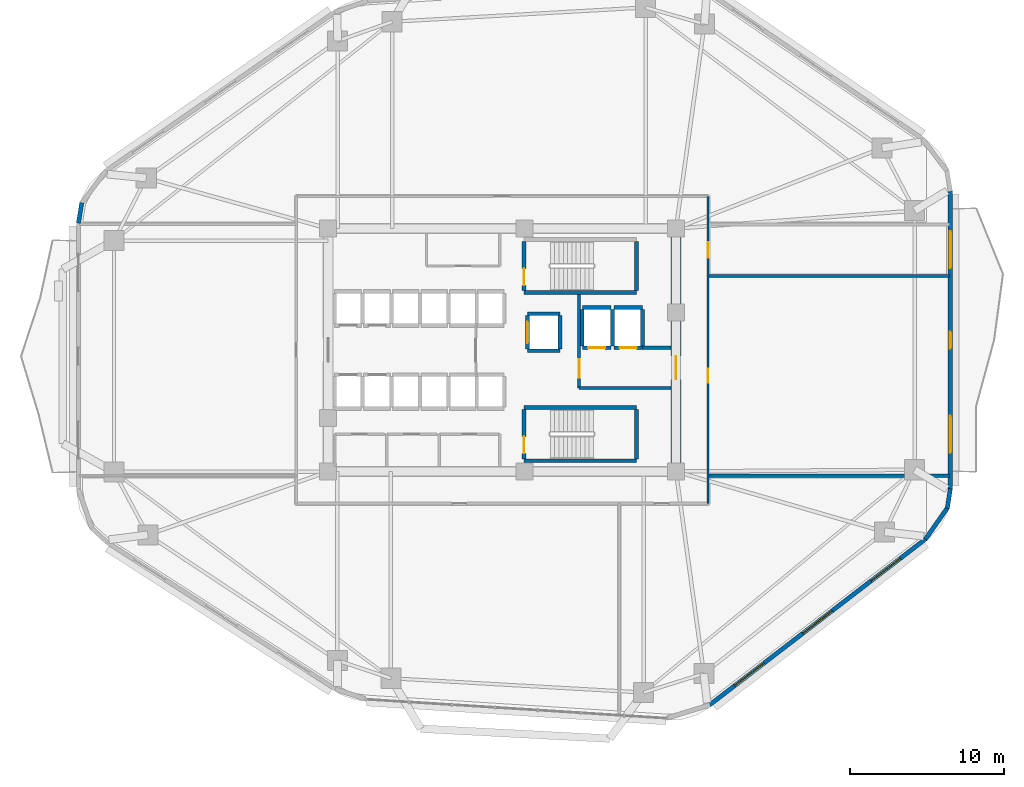
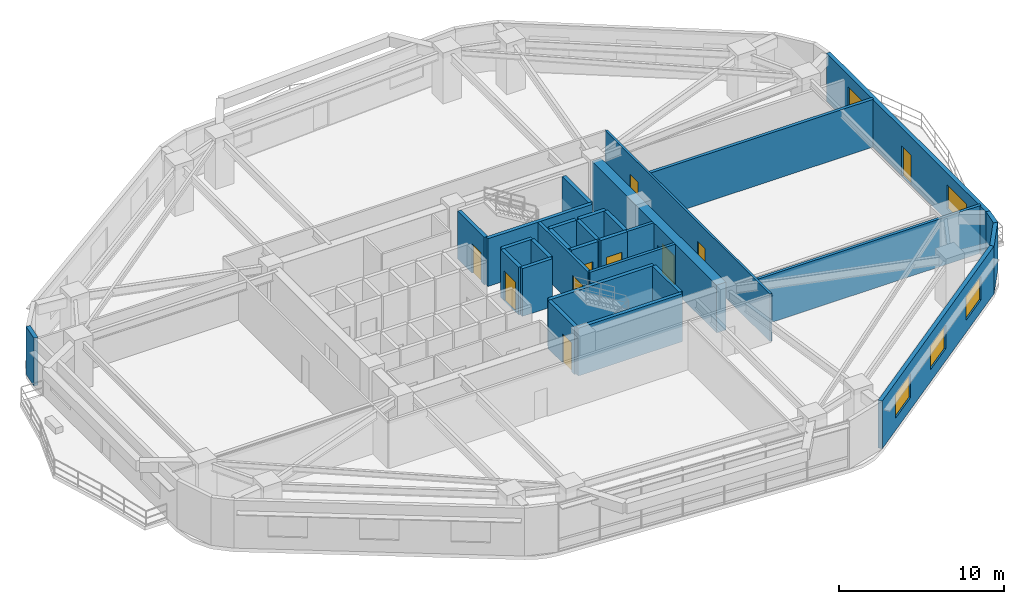
# One storey, part 9 of 13: 30 walls, 10 doors, 5 windows, 15 openings.
"""IFC4 building model written with IfcOpenShell, lengths in metres."""

import ifcopenshell
import ifcopenshell.guid

model = None  # the IFC model being written
_history = None  # IfcOwnerHistory: only IFC2X3 demands one
_inside = {}  # id of a spatial element -> (the spatial element, [elements in it])
_under = {}  # id of a project, library or spatial element -> (it, [spatial elements below it])
_declared = {}  # id of a project -> (the project, [libraries it declares])
_typed = {}  # id of a type object -> (the type object, [elements of that type])
_made_of = {}  # id of a material, layer set ... -> (it, [elements and type objects made of it])


def new_model(schema):
    """Start an empty IFC model of exactly this schema.

    Asked for "IFC4X3", IfcOpenShell would pick the latest addendum, in which some entities
    have other attributes; the version numbers below select the first issue.
    IFC2X3 requires an IfcOwnerHistory on every rooted entity: one is made here for all.
    """
    global model, _history
    if schema == "IFC4X3":
        model = ifcopenshell.file(schema_version=(4, 3, 0, 0))
    else:
        model = ifcopenshell.file(schema=schema)
    _inside.clear()
    _under.clear()
    _declared.clear()
    _typed.clear()
    _made_of.clear()
    _history = None
    if model.schema == "IFC2X3":
        org = make("IfcOrganization", Name="unknown")
        user = make(
            "IfcPersonAndOrganization",
            ThePerson=make("IfcPerson", FamilyName="unknown"),
            TheOrganization=org,
        )
        app = make(
            "IfcApplication",
            ApplicationDeveloper=org,
            Version="unknown",
            ApplicationFullName="unknown",
            ApplicationIdentifier="unknown",
        )
        _history = make(
            "IfcOwnerHistory",
            OwningUser=user,
            OwningApplication=app,
            ChangeAction="ADDED",
            CreationDate=0,
        )
    return model


def make(cls, **values):
    """One entity of the class cls with the attributes given. An attribute that is None is left unset."""
    return model.create_entity(
        cls, **{name: value for name, value in values.items() if value is not None}
    )


def rooted(cls, **values):
    """An entity with a GlobalId (a new one), such as an element, a storey or a relation."""
    return make(cls, GlobalId=ifcopenshell.guid.new(), OwnerHistory=_history, **values)


def si_unit(unit_type, name, prefix=None):
    """IfcSIUnit, for example si_unit("LENGTHUNIT", "METRE", prefix="MILLI")."""
    return make("IfcSIUnit", UnitType=unit_type, Prefix=prefix, Name=name)


def assignment(units):
    """IfcUnitAssignment: the units of a project."""
    return None if units is None else make("IfcUnitAssignment", Units=units)


def point(xyz):
    """IfcCartesianPoint."""
    return None if xyz is None else make("IfcCartesianPoint", Coordinates=xyz)


def direction(xyz):
    """IfcDirection."""
    return None if xyz is None else make("IfcDirection", DirectionRatios=xyz)


def frame(location, z_axis=None, x_axis=None):
    """IfcAxis2Placement3D, a coordinate frame: its origin and axes. An axis left out is left unset."""
    return make(
        "IfcAxis2Placement3D",
        Location=point(location),
        Axis=direction(z_axis),
        RefDirection=direction(x_axis),
    )


def frame_2d(location, x_axis=None):
    """IfcAxis2Placement2D, a coordinate frame in the plane: its origin and x axis."""
    return make(
        "IfcAxis2Placement2D", Location=point(location), RefDirection=direction(x_axis)
    )


def origin():
    """The frame at (0, 0, 0) with its axes left unset."""
    return frame((0.0, 0.0, 0.0))


def place(relative_to, where):
    """IfcLocalPlacement: puts the frame where relative to a parent placement (None: the world)."""
    return make(
        "IfcLocalPlacement", PlacementRelTo=relative_to, RelativePlacement=where
    )


def context(
    kind, dimensions, precision=None, world=None, true_north=None, identifier=None
):
    """IfcGeometricRepresentationContext, for example the 3D "Model" context."""
    return make(
        "IfcGeometricRepresentationContext",
        ContextIdentifier=identifier,
        ContextType=kind,
        CoordinateSpaceDimension=dimensions,
        Precision=precision,
        WorldCoordinateSystem=world,
        TrueNorth=true_north,
    )


def subcontext(parent, identifier, kind, view, scale=None):
    """IfcGeometricRepresentationSubContext, for example "Body" below "Model"."""
    return make(
        "IfcGeometricRepresentationSubContext",
        ContextIdentifier=identifier,
        ContextType=kind,
        ParentContext=parent,
        TargetScale=scale,
        TargetView=view,
    )


def project(units=None, contexts=None):
    """IfcProject with its units and contexts."""
    return rooted(
        "IfcProject",
        Name="project",
        RepresentationContexts=contexts,
        UnitsInContext=assignment(units),
    )


def spatial(cls, under=None, at=None, **own):
    """A site, building, storey or space (cls), placed at a placement, below another one or the project."""
    s = rooted(cls, ObjectPlacement=at, **own)
    if under is not None:
        _under.setdefault(under.id(), (under, []))[1].append(s)
    return s


def profile(cls, at=None, kind="AREA", **sizes):
    """A parametric profile (cls). Its sizes go by their IFC names, for example OverallWidth=200.0."""
    return make(cls, ProfileType=kind, Position=at, **sizes)


def rectangle(**sizes):
    """IfcRectangleProfileDef."""
    return profile("IfcRectangleProfileDef", **sizes)


def extrude(swept, where, along, depth):
    """IfcExtrudedAreaSolid: the profile swept, set in the frame where, extruded along a direction by depth."""
    return make(
        "IfcExtrudedAreaSolid",
        SweptArea=swept,
        Position=where,
        ExtrudedDirection=direction(along),
        Depth=depth,
    )


def shape(context_of_items, identifier, shape_type, items):
    """IfcShapeRepresentation: the items that make up one representation, for example the "Body"."""
    return make(
        "IfcShapeRepresentation",
        ContextOfItems=context_of_items,
        RepresentationIdentifier=identifier,
        RepresentationType=shape_type,
        Items=items,
    )


def material(Name=None, Category=None):
    """IfcMaterial."""
    return make("IfcMaterial", Name=Name, Category=Category)


def layer(
    of_material, thickness, ventilated=None, Name=None, Category=None, Priority=None
):
    """IfcMaterialLayer: one layer of a wall or slab, of a material (None: an air gap)."""
    return make(
        "IfcMaterialLayer",
        Material=of_material,
        LayerThickness=thickness,
        IsVentilated=ventilated,
        Name=Name,
        Category=Category,
        Priority=Priority,
    )


def layer_set(layers, Name=None):
    """IfcMaterialLayerSet."""
    return make("IfcMaterialLayerSet", MaterialLayers=layers, LayerSetName=Name)


def made_of(thing, what):
    """Note that an element or type object is made of a material, layer set ...; save() writes the relation."""
    if what is not None:
        _made_of.setdefault(what.id(), (what, []))[1].append(thing)
    return thing


def type_object(cls, material=None, **own):
    """A type object (cls), such as IfcWallType, which elements share."""
    return made_of(rooted(cls, **own), material)


def element(
    cls,
    number,
    at=None,
    inside=None,
    cuts=None,
    type_object=None,
    material=None,
    context=None,
    identifier="Body",
    shape_type=None,
    held_by="IfcProductDefinitionShape",
    body=None,
    shapes=None,
    **own,
):
    """One element of the class cls, such as IfcWall. Its Tag is "e" and its number.

    at: its placement. inside: the storey or other place that contains it. cuts: it is an
    opening in that element (IfcRelVoidsElement). A single representation is given by context,
    identifier, shape_type and body (its items); several are given by shapes. held_by: the class
    of the entity that holds the representations. save() writes the other relations.
    """
    e = rooted(cls, Tag="e%d" % number, ObjectPlacement=at, **own)
    if body is not None:
        shapes = [shape(context, identifier, shape_type, body)]
    if shapes is not None:
        e.Representation = make(held_by, Representations=shapes)
    if inside is not None:
        _inside.setdefault(inside.id(), (inside, []))[1].append(e)
    if cuts is not None:
        rooted(
            "IfcRelVoidsElement", RelatingBuildingElement=cuts, RelatedOpeningElement=e
        )
    if type_object is not None:
        _typed.setdefault(type_object.id(), (type_object, []))[1].append(e)
    return made_of(e, material)


def fill(opening, filler):
    """IfcRelFillsElement: the door or window that sits in an opening."""
    return rooted(
        "IfcRelFillsElement",
        RelatingOpeningElement=opening,
        RelatedBuildingElement=filler,
    )


def aggregate(whole, parts):
    """IfcRelAggregates: a whole, such as a stair, and the parts it consists of."""
    return rooted("IfcRelAggregates", RelatingObject=whole, RelatedObjects=parts)


def save(model, path):
    """Write the relations noted so far, then the file.

    IfcRelAggregates (storeys below a building ...), IfcRelContainedInSpatialStructure (elements
    in a storey), IfcRelDefinesByType, IfcRelAssociatesMaterial and IfcRelDeclares: one each for
    every whole, place, type object, material and project.
    """
    for whole, parts in _under.values():
        aggregate(whole, parts)
    for where, things in _inside.values():
        rooted(
            "IfcRelContainedInSpatialStructure",
            RelatedElements=things,
            RelatingStructure=where,
        )
    for kind, things in _typed.values():
        rooted("IfcRelDefinesByType", RelatedObjects=things, RelatingType=kind)
    for what, things in _made_of.values():
        rooted("IfcRelAssociatesMaterial", RelatedObjects=things, RelatingMaterial=what)
    for by, libraries in _declared.values():
        rooted("IfcRelDeclares", RelatingContext=by, RelatedDefinitions=libraries)
    model.write(path)


model = new_model("IFC4")

# Units and contexts
model_context = context("Model", 3, precision=1e-05, world=origin(), true_north=direction((0.0, 1.0)))
body_context = subcontext(model_context, "Body", "Model", "MODEL_VIEW")
ifc_project = project(units=[si_unit("LENGTHUNIT", "METRE"), si_unit("AREAUNIT", "SQUARE_METRE"), si_unit("VOLUMEUNIT", "CUBIC_METRE"), si_unit("PLANEANGLEUNIT", "RADIAN"), si_unit("MASSUNIT", "GRAM", prefix="KILO")], contexts=[model_context])

# Site, building, storey
site_placement = place(None, origin())
site = spatial("IfcSite", under=ifc_project, at=site_placement, CompositionType="ELEMENT")
building_placement = place(site_placement, origin())
building = spatial("IfcBuilding", under=site, at=building_placement, Name="Zulverin Broadcast Headquarters", CompositionType="ELEMENT")
storey_placement = place(building_placement, frame((0.0, 0.0, 70.60009765625)))
storey = spatial("IfcBuildingStorey", under=building, at=storey_placement, Name="L17", CompositionType="ELEMENT", Elevation=70.60009765625)

# Walls
ifc_material_1 = material(Name="Acoustic drywall steel stud", Category="steel")
ifc_layer_1 = layer(ifc_material_1, 0.199951171875, Name="Acoustic drywall steel stud", Category="steel")
ifc_layer_set_1 = layer_set([ifc_layer_1], Name="Acoustic drywall steel stud")
wall_type_1 = type_object("IfcWallType", Name="WL-ACOU-200", PredefinedType="PARTITIONING", material=ifc_layer_set_1)
wall_1_placement = place(storey_placement, frame((50.35009765625, 17.050048828125, 0.0), z_axis=(0.0, 0.0, 1.0), x_axis=(1.0, 0.0, 0.0)))
element("IfcWall", 1, at=wall_1_placement, inside=storey, type_object=wall_type_1, Name="L17 Room Partition Wall RP-06", PredefinedType="PARTITIONING", context=body_context, shape_type="SweptSolid", body=[
    extrude(rectangle(XDim=15.64501953125, YDim=0.199951171875, at=frame_2d((7.822509765625, 0.0))), origin(), (0.0, 0.0, 1.0), 3.52490234375),
])
ifc_material_2 = material(Name="Double-stud acoustic drywall", Category="gypsum")
ifc_layer_2 = layer(ifc_material_2, 0.219970703125, Name="Double-stud acoustic drywall", Category="gypsum")
ifc_layer_set_2 = layer_set([ifc_layer_2], Name="Double-stud acoustic drywall")
wall_type_2 = type_object("IfcWallType", Name="WL-ACOU-220", PredefinedType="PARTITIONING", material=ifc_layer_set_2)
wall_2_placement = place(storey_placement, frame((50.35009765625, 30.0, 0.0), z_axis=(0.0, 0.0, 1.0), x_axis=(1.0, 0.0, 0.0)))
element("IfcWall", 2, at=wall_2_placement, inside=storey, type_object=wall_type_2, Name="L17 Room Partition Wall RP-07", PredefinedType="PARTITIONING", context=body_context, shape_type="SweptSolid", body=[
    extrude(rectangle(XDim=15.64501953125, YDim=0.219970703125, at=frame_2d((7.822509765625, 0.0))), origin(), (0.0, 0.0, 1.0), 3.52490234375),
])

# Wall, opening, door
ifc_material_3 = material(Name="Concrete C60/75", Category="concrete")
ifc_layer_3 = layer(ifc_material_3, 0.64990234375, Name="Concrete C60/75", Category="concrete")
ifc_layer_set_3 = layer_set([ifc_layer_3], Name="Concrete C60/75")
wall_type_3 = type_object("IfcWallType", Name="WL-CORE-650", PredefinedType="SHEAR", material=ifc_layer_set_3)
wall_3_placement = place(storey_placement, frame((48.27490234375, 17.64990234375, 0.0), z_axis=(0.0, 0.0, 1.0), x_axis=(0.0, 1.0, 0.0)))
wall_3 = element("IfcWall", 3, at=wall_3_placement, inside=storey, type_object=wall_type_3, Name="L17 Core East Shear Wall", PredefinedType="SHEAR", context=body_context, shape_type="SweptSolid", body=[
    extrude(rectangle(XDim=15.10009765625, YDim=0.64990234375, at=frame_2d((7.550048828125, 0.0))), origin(), (0.0, 0.0, 1.0), 3.52490234375),
])
opening_1_placement = place(wall_3_placement, frame((5.64990234375, 0.0, 0.0)))
opening_1 = element("IfcOpeningElement", 4, at=opening_1_placement, cuts=wall_3, Name="Opening D-L17-CE1", PredefinedType="OPENING", context=body_context, shape_type="SweptSolid", body=[
    extrude(rectangle(XDim=1.5, YDim=2.14990234375, at=frame_2d((0.75, 1.074951171875))), frame((0.0, 0.3349609375, 0.0), z_axis=(0.0, -1.0, 0.0), x_axis=(1.0, 0.0, 0.0)), (0.0, 0.0, 1.0), 0.669921875),
])
ifc_material_4 = material(Name="Fire-rated glazed steel frame", Category="steel")
door_type_1 = type_object("IfcDoorType", Name="DR-COR-1500", OperationType="DOUBLE_DOOR_SINGLE_SWING", PredefinedType="DOOR", material=ifc_material_4)
door_1_placement = place(opening_1_placement, origin())
door_1 = element("IfcDoor", 5, at=door_1_placement, inside=storey, type_object=door_type_1, Name="L17 Firefighting Lobby East Corridor Door", OperationType="DOUBLE_DOOR_SINGLE_SWING", OverallHeight=2.14990234375, OverallWidth=1.5, PredefinedType="DOOR", context=body_context, shape_type="SweptSolid", body=[
    extrude(rectangle(XDim=1.5, YDim=2.14990234375, at=frame_2d((0.75, 1.074951171875))), frame((0.0, 0.02490234375, 0.0), z_axis=(0.0, -1.0, 0.0), x_axis=(1.0, 0.0, 0.0)), (0.0, 0.0, 1.0), 0.050048828125),
])
fill(opening_1, door_1)

# Wall, openings, windows
ifc_material_5 = material(Name="Insulated pale-metal clad concrete spandrel C40/50", Category="concrete")
ifc_layer_4 = layer(ifc_material_5, 0.280029296875, Name="Insulated pale-metal clad concrete spandrel C40/50", Category="concrete")
ifc_layer_set_4 = layer_set([ifc_layer_4], Name="Insulated pale-metal clad concrete spandrel C40/50")
wall_type_4 = type_object("IfcWallType", Name="WL-EXT-280", PredefinedType="STANDARD", material=ifc_layer_set_4)
wall_4_placement = place(storey_placement, frame((50.4287109375, 2.171630859375, 0.0), z_axis=(0.0, 0.0, 1.0), x_axis=(0.792937466367, 0.609303023488, 0.0)))
wall_4 = element("IfcWall", 6, at=wall_4_placement, inside=storey, type_object=wall_type_4, Name="L17 Pale-Metal Clad Spandrel Wall 2", PredefinedType="STANDARD", context=body_context, shape_type="SweptSolid", body=[
    extrude(rectangle(XDim=17.712890625, YDim=0.280029296875, at=frame_2d((8.8564453125, 0.0))), origin(), (0.0, 0.0, 1.0), 3.52490234375),
])
opening_2_placement = place(wall_4_placement, frame((2.08544921875, 0.0, 0.89990234375)))
opening_2 = element("IfcOpeningElement", 7, at=opening_2_placement, cuts=wall_4, Name="Opening W-L17-E21", PredefinedType="OPENING", context=body_context, shape_type="SweptSolid", body=[
    extrude(rectangle(XDim=2.39990234375, YDim=1.75, at=frame_2d((1.199951171875, 0.875))), frame((0.0, 0.14990234375, 0.0), z_axis=(0.0, -1.0, 0.0), x_axis=(1.0, 0.0, 0.0)), (0.0, 0.0, 1.0), 0.300048828125),
])
opening_3_placement = place(wall_4_placement, frame((7.656494140625, 0.0, 0.89990234375)))
opening_3 = element("IfcOpeningElement", 8, at=opening_3_placement, cuts=wall_4, Name="Opening W-L17-E22", PredefinedType="OPENING", context=body_context, shape_type="SweptSolid", body=[
    extrude(rectangle(XDim=2.39990234375, YDim=1.75, at=frame_2d((1.199951171875, 0.875))), frame((0.0, 0.14990234375, 0.0), z_axis=(0.0, -1.0, 0.0), x_axis=(1.0, 0.0, 0.0)), (0.0, 0.0, 1.0), 0.300048828125),
])
opening_4_placement = place(wall_4_placement, frame((13.227294921875, 0.0, 0.89990234375)))
opening_4 = element("IfcOpeningElement", 9, at=opening_4_placement, cuts=wall_4, Name="Opening W-L17-E23", PredefinedType="OPENING", context=body_context, shape_type="SweptSolid", body=[
    extrude(rectangle(XDim=2.39990234375, YDim=1.75, at=frame_2d((1.199951171875, 0.875))), frame((0.0, 0.14990234375, 0.0), z_axis=(0.0, -1.0, 0.0), x_axis=(1.0, 0.0, 0.0)), (0.0, 0.0, 1.0), 0.300048828125),
])
ifc_material_6 = material(Name="Pale anodized aluminium frame with solar-control low-E double glazing", Category="aluminium")
window_type = type_object("IfcWindowType", Name="WIN-RIB-2400", PartitioningType="SINGLE_PANEL", PredefinedType="WINDOW", material=ifc_material_6)
window_1_placement = place(opening_2_placement, origin())
window_1 = element("IfcWindow", 10, at=window_1_placement, inside=storey, type_object=window_type, Name="L17 Ribbon Glazing Window 2 1", OverallHeight=1.75, OverallWidth=2.39990234375, PartitioningType="SINGLE_PANEL", PredefinedType="WINDOW", context=body_context, shape_type="SweptSolid", body=[
    extrude(rectangle(XDim=2.39990234375, YDim=1.75, at=frame_2d((1.199951171875, 0.875))), frame((0.0, 0.030029296875, 0.0), z_axis=(0.0, -1.0, 0.0), x_axis=(1.0, 0.0, 0.0)), (0.0, 0.0, 1.0), 0.06005859375),
])
fill(opening_2, window_1)
window_2_placement = place(opening_3_placement, origin())
window_2 = element("IfcWindow", 11, at=window_2_placement, inside=storey, type_object=window_type, Name="L17 Ribbon Glazing Window 2 2", OverallHeight=1.75, OverallWidth=2.39990234375, PartitioningType="SINGLE_PANEL", PredefinedType="WINDOW", context=body_context, shape_type="SweptSolid", body=[
    extrude(rectangle(XDim=2.39990234375, YDim=1.75, at=frame_2d((1.199951171875, 0.875))), frame((0.0, 0.030029296875, 0.0), z_axis=(0.0, -1.0, 0.0), x_axis=(1.0, 0.0, 0.0)), (0.0, 0.0, 1.0), 0.06005859375),
])
fill(opening_3, window_2)
window_3_placement = place(opening_4_placement, origin())
window_3 = element("IfcWindow", 12, at=window_3_placement, inside=storey, type_object=window_type, Name="L17 Ribbon Glazing Window 2 3", OverallHeight=1.75, OverallWidth=2.39990234375, PartitioningType="SINGLE_PANEL", PredefinedType="WINDOW", context=body_context, shape_type="SweptSolid", body=[
    extrude(rectangle(XDim=2.39990234375, YDim=1.75, at=frame_2d((1.199951171875, 0.875))), frame((0.0, 0.030029296875, 0.0), z_axis=(0.0, -1.0, 0.0), x_axis=(1.0, 0.0, 0.0)), (0.0, 0.0, 1.0), 0.06005859375),
])
fill(opening_4, window_3)

# Wall, openings, door, windows
wall_5_placement = place(storey_placement, frame((66.06005859375, 16.183349609375, 0.0), z_axis=(0.0, 0.0, 1.0), x_axis=(0.0, 1.0, 0.0)))
wall_5 = element("IfcWall", 13, at=wall_5_placement, inside=storey, type_object=wall_type_4, Name="L17 Pale-Metal Clad Spandrel Wall 3", PredefinedType="STANDARD", context=body_context, shape_type="SweptSolid", body=[
    extrude(rectangle(XDim=19.3310546875, YDim=0.280029296875, at=frame_2d((9.66552734375, 0.0))), origin(), (0.0, 0.0, 1.0), 3.52490234375),
])
opening_5_placement = place(wall_5_placement, frame((9.115478515625, 0.0, 0.0)))
opening_5 = element("IfcOpeningElement", 14, at=opening_5_placement, cuts=wall_5, Name="Opening D-L17-TR3", PredefinedType="OPENING", context=body_context, shape_type="SweptSolid", body=[
    extrude(rectangle(XDim=1.10009765625, YDim=2.199951171875, at=frame_2d((0.550048828125, 1.10009765625))), frame((0.0, 0.14990234375, 0.0), z_axis=(0.0, -1.0, 0.0), x_axis=(1.0, 0.0, 0.0)), (0.0, 0.0, 1.0), 0.300048828125),
])
opening_6_placement = place(wall_5_placement, frame((2.355224609375, 0.0, 0.89990234375)))
opening_6 = element("IfcOpeningElement", 15, at=opening_6_placement, cuts=wall_5, Name="Opening W-L17-E31", PredefinedType="OPENING", context=body_context, shape_type="SweptSolid", body=[
    extrude(rectangle(XDim=2.39990234375, YDim=1.75, at=frame_2d((1.199951171875, 0.875))), frame((0.0, 0.14990234375, 0.0), z_axis=(0.0, -1.0, 0.0), x_axis=(1.0, 0.0, 0.0)), (0.0, 0.0, 1.0), 0.300048828125),
])
opening_7_placement = place(wall_5_placement, frame((14.325927734375, 0.0, 0.89990234375)))
opening_7 = element("IfcOpeningElement", 16, at=opening_7_placement, cuts=wall_5, Name="Opening W-L17-E32", PredefinedType="OPENING", context=body_context, shape_type="SweptSolid", body=[
    extrude(rectangle(XDim=2.39990234375, YDim=1.75, at=frame_2d((1.199951171875, 0.875))), frame((0.0, 0.14990234375, 0.0), z_axis=(0.0, -1.0, 0.0), x_axis=(1.0, 0.0, 0.0)), (0.0, 0.0, 1.0), 0.300048828125),
])
ifc_material_7 = material(Name="Thermally broken aluminium glazed", Category="aluminium")
door_type_2 = type_object("IfcDoorType", Name="DR-TERR-1100", OperationType="SINGLE_SWING_RIGHT", PredefinedType="DOOR", material=ifc_material_7)
door_2_placement = place(opening_5_placement, origin())
door_2 = element("IfcDoor", 17, at=door_2_placement, inside=storey, type_object=door_type_2, Name="L17 Planted Terrace Glazed Access Door 3", OperationType="SINGLE_SWING_RIGHT", OverallHeight=2.199951171875, OverallWidth=1.10009765625, PredefinedType="DOOR", context=body_context, shape_type="SweptSolid", body=[
    extrude(rectangle(XDim=1.10009765625, YDim=2.199951171875, at=frame_2d((0.550048828125, 1.10009765625))), frame((0.0, 0.02490234375, 0.0), z_axis=(0.0, -1.0, 0.0), x_axis=(1.0, 0.0, 0.0)), (0.0, 0.0, 1.0), 0.050048828125),
])
fill(opening_5, door_2)
window_4_placement = place(opening_6_placement, origin())
window_4 = element("IfcWindow", 18, at=window_4_placement, inside=storey, type_object=window_type, Name="L17 Ribbon Glazing Window 3 1", OverallHeight=1.75, OverallWidth=2.39990234375, PartitioningType="SINGLE_PANEL", PredefinedType="WINDOW", context=body_context, shape_type="SweptSolid", body=[
    extrude(rectangle(XDim=2.39990234375, YDim=1.75, at=frame_2d((1.199951171875, 0.875))), frame((0.0, 0.030029296875, 0.0), z_axis=(0.0, -1.0, 0.0), x_axis=(1.0, 0.0, 0.0)), (0.0, 0.0, 1.0), 0.06005859375),
])
fill(opening_6, window_4)
window_5_placement = place(opening_7_placement, origin())
window_5 = element("IfcWindow", 19, at=window_5_placement, inside=storey, type_object=window_type, Name="L17 Ribbon Glazing Window 3 2", OverallHeight=1.75, OverallWidth=2.39990234375, PartitioningType="SINGLE_PANEL", PredefinedType="WINDOW", context=body_context, shape_type="SweptSolid", body=[
    extrude(rectangle(XDim=2.39990234375, YDim=1.75, at=frame_2d((1.199951171875, 0.875))), frame((0.0, 0.030029296875, 0.0), z_axis=(0.0, -1.0, 0.0), x_axis=(1.0, 0.0, 0.0)), (0.0, 0.0, 1.0), 0.06005859375),
])
fill(opening_7, window_5)

# Walls
wall_6_placement = place(storey_placement, frame((64.4443359375, 12.933349609375, 0.0), z_axis=(0.0, 0.0, 1.0), x_axis=(0.573176686443, 0.819431806875, 0.0)))
element("IfcWall", 20, at=wall_6_placement, inside=storey, type_object=wall_type_4, Name="L17 Wind-Shaped Corner Spandrel Wall 2-1", PredefinedType="STANDARD", context=body_context, shape_type="SweptSolid", body=[
    extrude(rectangle(XDim=2.524169921875, YDim=0.280029296875, at=frame_2d((1.26220703125, 0.0))), origin(), (0.0, 0.0, 1.0), 3.52490234375),
])
wall_7_placement = place(storey_placement, frame((65.867431640625, 14.942626953125, 0.0), z_axis=(0.0, 0.0, 1.0), x_axis=(0.152014078361, 0.988378328364, 0.0)))
element("IfcWall", 21, at=wall_7_placement, inside=storey, type_object=wall_type_4, Name="L17 Wind-Shaped Corner Spandrel Wall 2-2", PredefinedType="STANDARD", context=body_context, shape_type="SweptSolid", body=[
    extrude(rectangle(XDim=1.27685546875, YDim=0.280029296875, at=frame_2d((0.638427734375, 0.0))), origin(), (0.0, 0.0, 1.0), 3.52490234375),
])
wall_8_placement = place(storey_placement, frame((9.753173828125, 34.748779296875, 0.0), z_axis=(0.0, 0.0, 1.0), x_axis=(-0.160037671962, -0.987110907423, 0.0)))
element("IfcWall", 22, at=wall_8_placement, inside=storey, type_object=wall_type_4, Name="L17 Wind-Shaped Corner Spandrel Wall 6-2", PredefinedType="STANDARD", context=body_context, shape_type="SweptSolid", body=[
    extrude(rectangle(XDim=1.343994140625, YDim=0.280029296875, at=frame_2d((0.671875, 0.0))), origin(), (0.0, 0.0, 1.0), 3.52490234375),
])

# Wall, opening, door
ifc_material_8 = material(Name="Concrete C40/50", Category="concrete")
ifc_layer_5 = layer(ifc_material_8, 0.199951171875, Name="Concrete C40/50", Category="concrete")
ifc_layer_set_5 = layer_set([ifc_layer_5], Name="Concrete C40/50")
wall_type_5 = type_object("IfcWallType", Name="WL-FFL-200", PredefinedType="SOLIDWALL", material=ifc_layer_set_5)
wall_9_placement = place(storey_placement, frame((42.0, 22.75, 0.0), z_axis=(0.0, 0.0, 1.0), x_axis=(0.0, 1.0, 0.0)))
wall_9 = element("IfcWall", 23, at=wall_9_placement, inside=storey, type_object=wall_type_5, Name="L17 Firefighting Lift Lobby West Wall", PredefinedType="SOLIDWALL", context=body_context, shape_type="SweptSolid", body=[
    extrude(rectangle(XDim=6.050048828125, YDim=0.199951171875, at=frame_2d((3.02490234375, 0.0))), origin(), (0.0, 0.0, 1.0), 3.52490234375),
])
opening_8_placement = place(wall_9_placement, frame((0.64990234375, 0.0, 0.0)))
opening_8 = element("IfcOpeningElement", 24, at=opening_8_placement, cuts=wall_9, Name="Opening D-L17-FFLW", PredefinedType="OPENING", context=body_context, shape_type="SweptSolid", body=[
    extrude(rectangle(XDim=1.199951171875, YDim=2.14990234375, at=frame_2d((0.60009765625, 1.074951171875))), frame((0.0, 0.10986328125, 0.0), z_axis=(0.0, -1.0, 0.0), x_axis=(1.0, 0.0, 0.0)), (0.0, 0.0, 1.0), 0.219970703125),
])
ifc_material_9 = material(Name="Fire-rated steel leaf and frame", Category="steel")
door_type_3 = type_object("IfcDoorType", Name="DR-FFL-1200", OperationType="SINGLE_SWING_RIGHT", PredefinedType="DOOR", material=ifc_material_9)
door_3_placement = place(opening_8_placement, origin())
door_3 = element("IfcDoor", 25, at=door_3_placement, inside=storey, type_object=door_type_3, Name="L17 Firefighting Lift Lobby Door", OperationType="SINGLE_SWING_RIGHT", OverallHeight=2.14990234375, OverallWidth=1.199951171875, PredefinedType="DOOR", context=body_context, shape_type="SweptSolid", body=[
    extrude(rectangle(XDim=1.199951171875, YDim=2.14990234375, at=frame_2d((0.60009765625, 1.074951171875))), frame((0.0, 0.02490234375, 0.0), z_axis=(0.0, -1.0, 0.0), x_axis=(1.0, 0.0, 0.0)), (0.0, 0.0, 1.0), 0.050048828125),
])
fill(opening_8, door_3)

# Walls
wall_10_placement = place(storey_placement, frame((42.0, 22.75, 0.0), z_axis=(0.0, 0.0, 1.0), x_axis=(1.0, 0.0, 0.0)))
element("IfcWall", 26, at=wall_10_placement, inside=storey, type_object=wall_type_5, Name="L17 Firefighting Lift Lobby South Wall", PredefinedType="SOLIDWALL", context=body_context, shape_type="SweptSolid", body=[
    extrude(rectangle(XDim=5.949951171875, YDim=0.199951171875, at=frame_2d((2.97509765625, 0.0))), origin(), (0.0, 0.0, 1.0), 3.52490234375),
])
wall_11_placement = place(storey_placement, frame((46.10009765625, 25.35009765625, 0.0), z_axis=(0.0, 0.0, 1.0), x_axis=(1.0, 0.0, 0.0)))
element("IfcWall", 27, at=wall_11_placement, inside=storey, type_object=wall_type_5, Name="L17 Firefighting Lift Lobby North Wall", PredefinedType="SOLIDWALL", context=body_context, shape_type="SweptSolid", body=[
    extrude(rectangle(XDim=1.849853515625, YDim=0.199951171875, at=frame_2d((0.9248046875, 0.0))), origin(), (0.0, 0.0, 1.0), 3.52490234375),
])

# Wall, openings, doors
ifc_material_10 = material(Name="Fire-rated gypsum stud partition", Category="gypsum")
ifc_layer_6 = layer(ifc_material_10, 0.14990234375, Name="Fire-rated gypsum stud partition", Category="gypsum")
ifc_layer_set_6 = layer_set([ifc_layer_6], Name="Fire-rated gypsum stud partition")
wall_type_6 = type_object("IfcWallType", Name="WL-PART-150", PredefinedType="PARTITIONING", material=ifc_layer_set_6)
wall_12_placement = place(storey_placement, frame((50.35009765625, 15.25, 0.0), z_axis=(0.0, 0.0, 1.0), x_axis=(0.0, 1.0, 0.0)))
wall_12 = element("IfcWall", 28, at=wall_12_placement, inside=storey, type_object=wall_type_6, Name="L17 Gallery Partition Wall CG-01", PredefinedType="PARTITIONING", context=body_context, shape_type="SweptSolid", body=[
    extrude(rectangle(XDim=19.89990234375, YDim=0.14990234375, at=frame_2d((9.949951171875, 0.0))), origin(), (0.0, 0.0, 1.0), 3.52490234375),
])
opening_9_placement = place(wall_12_placement, frame((7.824951171875, 0.0, 0.0)))
opening_9 = element("IfcOpeningElement", 29, at=opening_9_placement, cuts=wall_12, Name="Opening D-L17-05", PredefinedType="OPENING", context=body_context, shape_type="SweptSolid", body=[
    extrude(rectangle(XDim=0.89990234375, YDim=2.10009765625, at=frame_2d((0.449951171875, 1.050048828125))), frame((0.0, 0.0849609375, 0.0), z_axis=(0.0, -1.0, 0.0), x_axis=(1.0, 0.0, 0.0)), (0.0, 0.0, 1.0), 0.169921875),
])
opening_10_placement = place(wall_12_placement, frame((15.925048828125, 0.0, 0.0)))
opening_10 = element("IfcOpeningElement", 30, at=opening_10_placement, cuts=wall_12, Name="Opening D-L17-06", PredefinedType="OPENING", context=body_context, shape_type="SweptSolid", body=[
    extrude(rectangle(XDim=1.0, YDim=2.1201171875, at=frame_2d((0.5, 1.06005859375))), frame((0.0, 0.0849609375, 0.0), z_axis=(0.0, -1.0, 0.0), x_axis=(1.0, 0.0, 0.0)), (0.0, 0.0, 1.0), 0.169921875),
])
ifc_material_11 = material(Name="Hardwood veneer acoustic leaf", Category="wood")
door_type_4 = type_object("IfcDoorType", Name="DR-OFF-1000", OperationType="SINGLE_SWING_LEFT", PredefinedType="DOOR", material=ifc_material_11)
door_4_placement = place(opening_10_placement, origin())
door_4 = element("IfcDoor", 31, at=door_4_placement, inside=storey, type_object=door_type_4, Name="L17 Broadcast Production Office Door", OperationType="SINGLE_SWING_LEFT", OverallHeight=2.1201171875, OverallWidth=1.0, PredefinedType="DOOR", context=body_context, shape_type="SweptSolid", body=[
    extrude(rectangle(XDim=1.0, YDim=2.1201171875, at=frame_2d((0.5, 1.06005859375))), frame((0.0, 0.02490234375, 0.0), z_axis=(0.0, -1.0, 0.0), x_axis=(1.0, 0.0, 0.0)), (0.0, 0.0, 1.0), 0.050048828125),
])
fill(opening_10, door_4)
ifc_material_12 = material(Name="Fire-rated hardwood veneer timber leaf", Category="wood")
door_type_5 = type_object("IfcDoorType", Name="DR-ROOM-900", OperationType="SINGLE_SWING_RIGHT", PredefinedType="DOOR", material=ifc_material_12)
door_5_placement = place(opening_9_placement, origin())
door_5 = element("IfcDoor", 32, at=door_5_placement, inside=storey, type_object=door_type_5, Name="L17 Floor Reception Foyer Door", OperationType="SINGLE_SWING_RIGHT", OverallHeight=2.10009765625, OverallWidth=0.89990234375, PredefinedType="DOOR", context=body_context, shape_type="SweptSolid", body=[
    extrude(rectangle(XDim=0.89990234375, YDim=2.10009765625, at=frame_2d((0.449951171875, 1.050048828125))), frame((0.0, 0.02490234375, 0.0), z_axis=(0.0, -1.0, 0.0), x_axis=(1.0, 0.0, 0.0)), (0.0, 0.0, 1.0), 0.050048828125),
])
fill(opening_9, door_5)

# Wall
ifc_material_13 = material(Name="Concrete C50/60", Category="concrete")
ifc_layer_7 = layer(ifc_material_13, 0.25, Name="Concrete C50/60", Category="concrete")
ifc_layer_set_7 = layer_set([ifc_layer_7], Name="Concrete C50/60")
wall_type_7 = type_object("IfcWallType", Name="WL-SHAFT-250", PredefinedType="SHEAR", material=ifc_layer_set_7)
wall_13_placement = place(storey_placement, frame((38.425048828125, 28.925048828125, 0.0), z_axis=(0.0, 0.0, 1.0), x_axis=(1.0, 0.0, 0.0)))
element("IfcWall", 33, at=wall_13_placement, inside=storey, type_object=wall_type_7, Name="L17 ST-1 Enclosure Wall S", PredefinedType="SHEAR", context=body_context, shape_type="SweptSolid", body=[
    extrude(rectangle(XDim=7.300048828125, YDim=0.25, at=frame_2d((3.64990234375, 0.0))), origin(), (0.0, 0.0, 1.0), 3.52490234375),
])

# Wall, opening, door
wall_14_placement = place(storey_placement, frame((38.425048828125, 29.050048828125, 0.0), z_axis=(0.0, 0.0, 1.0), x_axis=(0.0, 1.0, 0.0)))
wall_14 = element("IfcWall", 34, at=wall_14_placement, inside=storey, type_object=wall_type_7, Name="L17 ST-1 Enclosure Wall W", PredefinedType="SHEAR", context=body_context, shape_type="SweptSolid", body=[
    extrude(rectangle(XDim=3.199951171875, YDim=0.25, at=frame_2d((1.60009765625, 0.0))), origin(), (0.0, 0.0, 1.0), 3.52490234375),
])
opening_11_placement = place(wall_14_placement, frame((0.35009765625, 0.0, 0.0)))
opening_11 = element("IfcOpeningElement", 35, at=opening_11_placement, cuts=wall_14, Name="Opening D-L17-ST-1", PredefinedType="OPENING", context=body_context, shape_type="SweptSolid", body=[
    extrude(rectangle(XDim=1.10009765625, YDim=2.14990234375, at=frame_2d((0.550048828125, 1.074951171875))), frame((0.0, 0.135009765625, 0.0), z_axis=(0.0, -1.0, 0.0), x_axis=(1.0, 0.0, 0.0)), (0.0, 0.0, 1.0), 0.27001953125),
])
door_type_6 = type_object("IfcDoorType", Name="DR-STAIR-1100", OperationType="SINGLE_SWING_LEFT", PredefinedType="DOOR", material=ifc_material_9)
door_6_placement = place(opening_11_placement, origin())
door_6 = element("IfcDoor", 36, at=door_6_placement, inside=storey, type_object=door_type_6, Name="L17 Exit Stair ST-1 Fire Door", OperationType="SINGLE_SWING_LEFT", OverallHeight=2.14990234375, OverallWidth=1.10009765625, PredefinedType="DOOR", context=body_context, shape_type="SweptSolid", body=[
    extrude(rectangle(XDim=1.10009765625, YDim=2.14990234375, at=frame_2d((0.550048828125, 1.074951171875))), frame((0.0, 0.02490234375, 0.0), z_axis=(0.0, -1.0, 0.0), x_axis=(1.0, 0.0, 0.0)), (0.0, 0.0, 1.0), 0.050048828125),
])
fill(opening_11, door_6)

# Walls
wall_15_placement = place(storey_placement, frame((45.72509765625, 29.050048828125, 0.0), z_axis=(0.0, 0.0, 1.0), x_axis=(0.0, 1.0, 0.0)))
element("IfcWall", 37, at=wall_15_placement, inside=storey, type_object=wall_type_7, Name="L17 ST-1 Enclosure Wall E", PredefinedType="SHEAR", context=body_context, shape_type="SweptSolid", body=[
    extrude(rectangle(XDim=3.199951171875, YDim=0.25, at=frame_2d((1.60009765625, 0.0))), origin(), (0.0, 0.0, 1.0), 3.52490234375),
])
for number, where, z_axis, x_axis, name in (
    (38, (38.425048828125, 18.02490234375, 0.0), (0.0, 0.0, 1.0), (1.0, 0.0, 0.0), "L17 ST-2 Enclosure Wall S"),
    (39, (38.425048828125, 21.47509765625, 0.0), (0.0, 0.0, 1.0), (1.0, 0.0, 0.0), "L17 ST-2 Enclosure Wall N"),
):
    element("IfcWall", number, at=place(storey_placement, frame(where, z_axis=z_axis, x_axis=x_axis)), inside=storey, type_object=wall_type_7, Name=name, PredefinedType="SHEAR", context=body_context, shape_type="SweptSolid", body=[
        extrude(rectangle(XDim=7.300048828125, YDim=0.25, at=frame_2d((3.64990234375, 0.0))), origin(), (0.0, 0.0, 1.0), 3.52490234375),
    ])

# Wall, opening, door
wall_16_placement = place(storey_placement, frame((38.425048828125, 18.14990234375, 0.0), z_axis=(0.0, 0.0, 1.0), x_axis=(0.0, 1.0, 0.0)))
wall_16 = element("IfcWall", 40, at=wall_16_placement, inside=storey, type_object=wall_type_7, Name="L17 ST-2 Enclosure Wall W", PredefinedType="SHEAR", context=body_context, shape_type="SweptSolid", body=[
    extrude(rectangle(XDim=3.2001953125, YDim=0.25, at=frame_2d((1.60009765625, 0.0))), origin(), (0.0, 0.0, 1.0), 3.52490234375),
])
opening_12_placement = place(wall_16_placement, frame((0.35009765625, 0.0, 0.0)))
opening_12 = element("IfcOpeningElement", 41, at=opening_12_placement, cuts=wall_16, Name="Opening D-L17-ST-2", PredefinedType="OPENING", context=body_context, shape_type="SweptSolid", body=[
    extrude(rectangle(XDim=1.10009765625, YDim=2.14990234375, at=frame_2d((0.550048828125, 1.074951171875))), frame((0.0, 0.135009765625, 0.0), z_axis=(0.0, -1.0, 0.0), x_axis=(1.0, 0.0, 0.0)), (0.0, 0.0, 1.0), 0.27001953125),
])
door_7_placement = place(opening_12_placement, origin())
door_7 = element("IfcDoor", 42, at=door_7_placement, inside=storey, type_object=door_type_6, Name="L17 Exit Stair ST-2 Fire Door", OperationType="SINGLE_SWING_RIGHT", OverallHeight=2.14990234375, OverallWidth=1.10009765625, PredefinedType="DOOR", context=body_context, shape_type="SweptSolid", body=[
    extrude(rectangle(XDim=1.10009765625, YDim=2.14990234375, at=frame_2d((0.550048828125, 1.074951171875))), frame((0.0, 0.02490234375, 0.0), z_axis=(0.0, -1.0, 0.0), x_axis=(1.0, 0.0, 0.0)), (0.0, 0.0, 1.0), 0.050048828125),
])
fill(opening_12, door_7)

# Wall
wall_17_placement = place(storey_placement, frame((45.72509765625, 18.14990234375, 0.0), z_axis=(0.0, 0.0, 1.0), x_axis=(0.0, 1.0, 0.0)))
element("IfcWall", 43, at=wall_17_placement, inside=storey, type_object=wall_type_7, Name="L17 ST-2 Enclosure Wall E", PredefinedType="SHEAR", context=body_context, shape_type="SweptSolid", body=[
    extrude(rectangle(XDim=3.2001953125, YDim=0.25, at=frame_2d((1.60009765625, 0.0))), origin(), (0.0, 0.0, 1.0), 3.52490234375),
])

# Wall, opening, door
wall_18_placement = place(storey_placement, frame((42.199951171875, 25.35009765625, 0.0), z_axis=(0.0, 0.0, 1.0), x_axis=(1.0, 0.0, 0.0)))
wall_18 = element("IfcWall", 44, at=wall_18_placement, inside=storey, type_object=wall_type_7, Name="L17 Lift FFL-1 Shaft Wall S", PredefinedType="SHEAR", context=body_context, shape_type="SweptSolid", body=[
    extrude(rectangle(XDim=1.85009765625, YDim=0.25, at=frame_2d((0.925048828125, 0.0))), origin(), (0.0, 0.0, 1.0), 3.52490234375),
])
opening_13_placement = place(wall_18_placement, frame((0.375, 0.0, 0.0)))
opening_13 = element("IfcOpeningElement", 45, at=opening_13_placement, cuts=wall_18, Name="Opening LD-FFL-1-L17", PredefinedType="OPENING", context=body_context, shape_type="SweptSolid", body=[
    extrude(rectangle(XDim=1.10009765625, YDim=2.14990234375, at=frame_2d((0.550048828125, 1.074951171875))), frame((0.0, 0.135009765625, 0.0), z_axis=(0.0, -1.0, 0.0), x_axis=(1.0, 0.0, 0.0)), (0.0, 0.0, 1.0), 0.27001953125),
])
ifc_material_14 = material(Name="Fire-rated stainless landing door", Category="steel")
door_type_7 = type_object("IfcDoorType", Name="LD-FFL-1100", OperationType="DOUBLE_DOOR_SLIDING", PredefinedType="DOOR", material=ifc_material_14)
door_8_placement = place(opening_13_placement, origin())
door_8 = element("IfcDoor", 46, at=door_8_placement, inside=storey, type_object=door_type_7, Name="L17 Lift FFL-1 Sliding Landing Door", OperationType="DOUBLE_DOOR_SLIDING", OverallHeight=2.14990234375, OverallWidth=1.10009765625, PredefinedType="DOOR", context=body_context, shape_type="SweptSolid", body=[
    extrude(rectangle(XDim=1.10009765625, YDim=2.14990234375, at=frame_2d((0.550048828125, 1.074951171875))), frame((0.0, 0.02490234375, 0.0), z_axis=(0.0, -1.0, 0.0), x_axis=(1.0, 0.0, 0.0)), (0.0, 0.0, 1.0), 0.050048828125),
])
fill(opening_13, door_8)

# Walls
wall_19_placement = place(storey_placement, frame((42.199951171875, 27.949951171875, 0.0), z_axis=(0.0, 0.0, 1.0), x_axis=(1.0, 0.0, 0.0)))
element("IfcWall", 47, at=wall_19_placement, inside=storey, type_object=wall_type_7, Name="L17 Lift FFL-1 Shaft Wall N", PredefinedType="SHEAR", context=body_context, shape_type="SweptSolid", body=[
    extrude(rectangle(XDim=1.85009765625, YDim=0.25, at=frame_2d((0.925048828125, 0.0))), origin(), (0.0, 0.0, 1.0), 3.52490234375),
])
for number, where, z_axis, x_axis, name in (
    (48, (42.199951171875, 25.469970703125, 0.0), (0.0, 0.0, 1.0), (0.0, 1.0, 0.0), "L17 Lift FFL-1 Shaft Wall W"),
    (49, (44.14990234375, 25.469970703125, 0.0), (0.0, 0.0, 1.0), (0.0, 1.0, 0.0), "L17 Lift FFL-1 Shaft Wall E"),
):
    element("IfcWall", number, at=place(storey_placement, frame(where, z_axis=z_axis, x_axis=x_axis)), inside=storey, type_object=wall_type_7, Name=name, PredefinedType="SHEAR", context=body_context, shape_type="SweptSolid", body=[
        extrude(rectangle(XDim=2.360107421875, YDim=0.25, at=frame_2d((1.18017578125, 0.0))), origin(), (0.0, 0.0, 1.0), 3.52490234375),
    ])

# Wall, opening, door
wall_20_placement = place(storey_placement, frame((44.25, 25.35009765625, 0.0), z_axis=(0.0, 0.0, 1.0), x_axis=(1.0, 0.0, 0.0)))
wall_20 = element("IfcWall", 50, at=wall_20_placement, inside=storey, type_object=wall_type_7, Name="L17 Lift FFL-2 Shaft Wall S", PredefinedType="SHEAR", context=body_context, shape_type="SweptSolid", body=[
    extrude(rectangle(XDim=1.85009765625, YDim=0.25, at=frame_2d((0.925048828125, 0.0))), origin(), (0.0, 0.0, 1.0), 3.52490234375),
])
opening_14_placement = place(wall_20_placement, frame((0.375, 0.0, 0.0)))
opening_14 = element("IfcOpeningElement", 51, at=opening_14_placement, cuts=wall_20, Name="Opening LD-FFL-2-L17", PredefinedType="OPENING", context=body_context, shape_type="SweptSolid", body=[
    extrude(rectangle(XDim=1.10009765625, YDim=2.14990234375, at=frame_2d((0.550048828125, 1.074951171875))), frame((0.0, 0.135009765625, 0.0), z_axis=(0.0, -1.0, 0.0), x_axis=(1.0, 0.0, 0.0)), (0.0, 0.0, 1.0), 0.27001953125),
])
door_9_placement = place(opening_14_placement, origin())
door_9 = element("IfcDoor", 52, at=door_9_placement, inside=storey, type_object=door_type_7, Name="L17 Lift FFL-2 Sliding Landing Door", OperationType="DOUBLE_DOOR_SLIDING", OverallHeight=2.14990234375, OverallWidth=1.10009765625, PredefinedType="DOOR", context=body_context, shape_type="SweptSolid", body=[
    extrude(rectangle(XDim=1.10009765625, YDim=2.14990234375, at=frame_2d((0.550048828125, 1.074951171875))), frame((0.0, 0.02490234375, 0.0), z_axis=(0.0, -1.0, 0.0), x_axis=(1.0, 0.0, 0.0)), (0.0, 0.0, 1.0), 0.050048828125),
])
fill(opening_14, door_9)

# Walls
wall_21_placement = place(storey_placement, frame((44.25, 27.949951171875, 0.0), z_axis=(0.0, 0.0, 1.0), x_axis=(1.0, 0.0, 0.0)))
element("IfcWall", 53, at=wall_21_placement, inside=storey, type_object=wall_type_7, Name="L17 Lift FFL-2 Shaft Wall N", PredefinedType="SHEAR", context=body_context, shape_type="SweptSolid", body=[
    extrude(rectangle(XDim=1.85009765625, YDim=0.25, at=frame_2d((0.925048828125, 0.0))), origin(), (0.0, 0.0, 1.0), 3.52490234375),
])
wall_22_placement = place(storey_placement, frame((46.10009765625, 25.469970703125, 0.0), z_axis=(0.0, 0.0, 1.0), x_axis=(0.0, 1.0, 0.0)))
element("IfcWall", 54, at=wall_22_placement, inside=storey, type_object=wall_type_7, Name="L17 Lift FFL-2 Shaft Wall E", PredefinedType="SHEAR", context=body_context, shape_type="SweptSolid", body=[
    extrude(rectangle(XDim=2.360107421875, YDim=0.25, at=frame_2d((1.18017578125, 0.0))), origin(), (0.0, 0.0, 1.0), 3.52490234375),
])
for number, where, z_axis, x_axis, name in (
    (55, (38.64990234375, 25.14990234375, 0.0), (0.0, 0.0, 1.0), (1.0, 0.0, 0.0), "L17 Lift SVL-1 Shaft Wall S"),
    (56, (38.64990234375, 27.550048828125, 0.0), (0.0, 0.0, 1.0), (1.0, 0.0, 0.0), "L17 Lift SVL-1 Shaft Wall N"),
):
    element("IfcWall", number, at=place(storey_placement, frame(where, z_axis=z_axis, x_axis=x_axis)), inside=storey, type_object=wall_type_7, Name=name, PredefinedType="SHEAR", context=body_context, shape_type="SweptSolid", body=[
        extrude(rectangle(XDim=2.10009765625, YDim=0.25, at=frame_2d((1.050048828125, 0.0))), origin(), (0.0, 0.0, 1.0), 3.52490234375),
    ])

# Wall, opening, door
wall_23_placement = place(storey_placement, frame((38.64990234375, 25.27001953125, 0.0), z_axis=(0.0, 0.0, 1.0), x_axis=(0.0, 1.0, 0.0)))
wall_23 = element("IfcWall", 57, at=wall_23_placement, inside=storey, type_object=wall_type_7, Name="L17 Lift SVL-1 Shaft Wall W", PredefinedType="SHEAR", context=body_context, shape_type="SweptSolid", body=[
    extrude(rectangle(XDim=2.159912109375, YDim=0.25, at=frame_2d((1.080078125, 0.0))), origin(), (0.0, 0.0, 1.0), 3.52490234375),
])
opening_15_placement = place(wall_23_placement, frame((0.3798828125, 0.0, 0.0)))
opening_15 = element("IfcOpeningElement", 58, at=opening_15_placement, cuts=wall_23, Name="Opening LD-SVL-1-L17", PredefinedType="OPENING", context=body_context, shape_type="SweptSolid", body=[
    extrude(rectangle(XDim=1.39990234375, YDim=2.199951171875, at=frame_2d((0.699951171875, 1.10009765625))), frame((0.0, 0.135009765625, 0.0), z_axis=(0.0, -1.0, 0.0), x_axis=(1.0, 0.0, 0.0)), (0.0, 0.0, 1.0), 0.27001953125),
])
ifc_material_15 = material(Name="Heavy-duty stainless landing door", Category="steel")
door_type_8 = type_object("IfcDoorType", Name="LD-GOODS-1400", OperationType="DOUBLE_DOOR_SLIDING", PredefinedType="DOOR", material=ifc_material_15)
door_10_placement = place(opening_15_placement, origin())
door_10 = element("IfcDoor", 59, at=door_10_placement, inside=storey, type_object=door_type_8, Name="L17 Lift SVL-1 Sliding Landing Door", OperationType="DOUBLE_DOOR_SLIDING", OverallHeight=2.199951171875, OverallWidth=1.39990234375, PredefinedType="DOOR", context=body_context, shape_type="SweptSolid", body=[
    extrude(rectangle(XDim=1.39990234375, YDim=2.199951171875, at=frame_2d((0.699951171875, 1.10009765625))), frame((0.0, 0.02490234375, 0.0), z_axis=(0.0, -1.0, 0.0), x_axis=(1.0, 0.0, 0.0)), (0.0, 0.0, 1.0), 0.050048828125),
])
fill(opening_15, door_10)

# Wall
wall_24_placement = place(storey_placement, frame((40.75, 25.27001953125, 0.0), z_axis=(0.0, 0.0, 1.0), x_axis=(0.0, 1.0, 0.0)))
element("IfcWall", 60, at=wall_24_placement, inside=storey, type_object=wall_type_7, Name="L17 Lift SVL-1 Shaft Wall E", PredefinedType="SHEAR", context=body_context, shape_type="SweptSolid", body=[
    extrude(rectangle(XDim=2.159912109375, YDim=0.25, at=frame_2d((1.080078125, 0.0))), origin(), (0.0, 0.0, 1.0), 3.52490234375),
])

save(model, "model.ifc")
